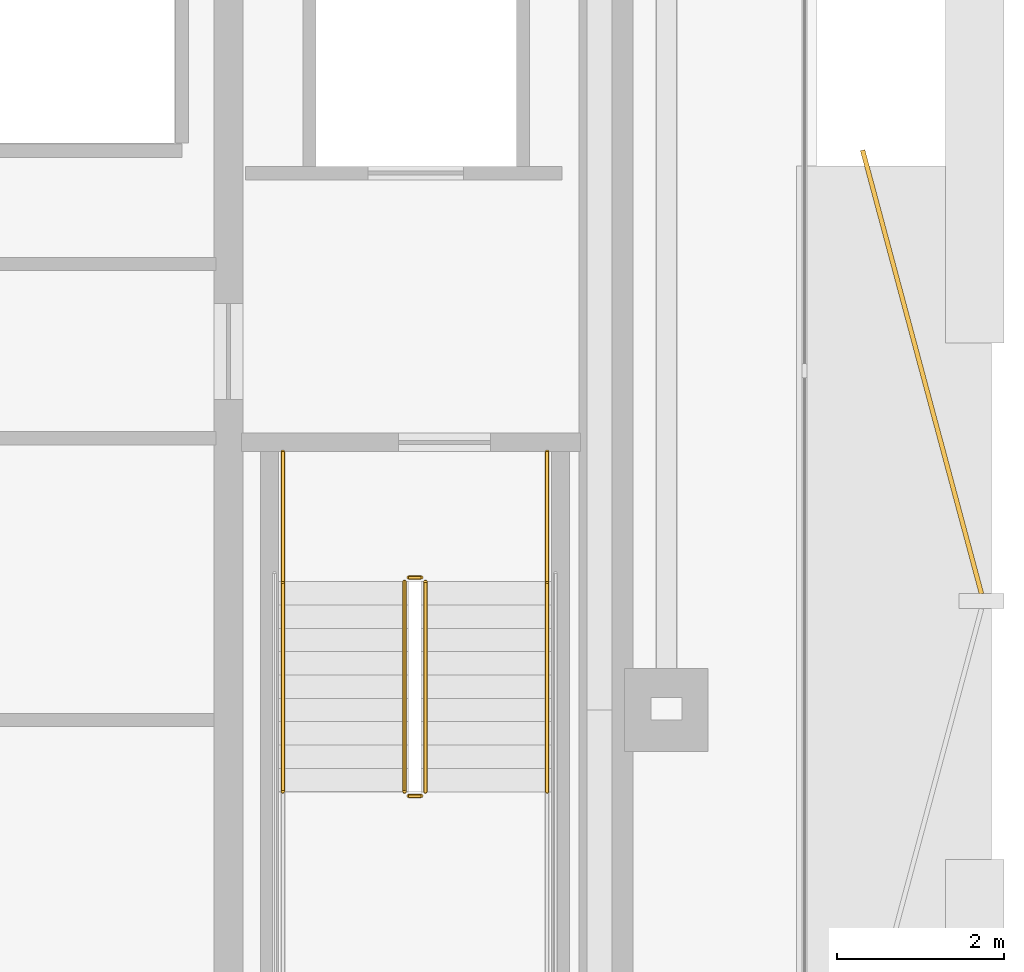
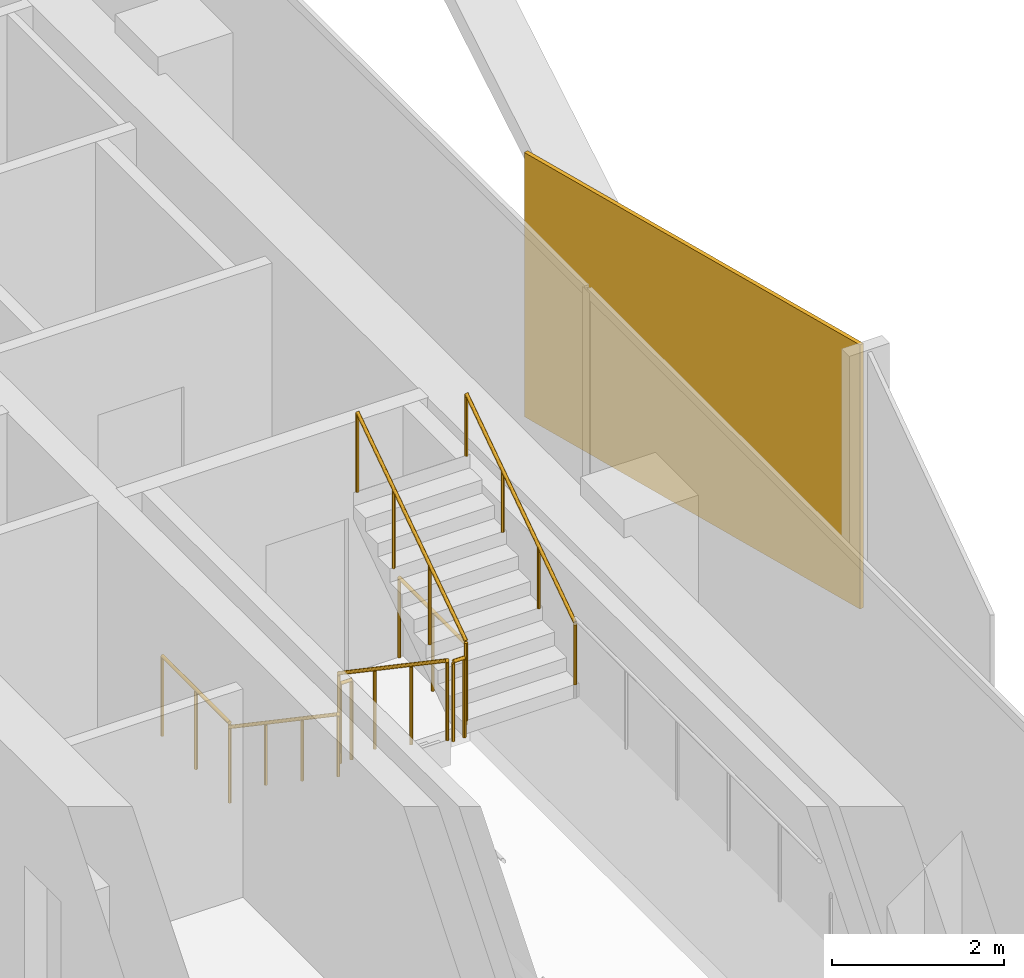
# One storey, part 15 of 17: 8 railings, 1 covering.
"""IFC4 building model written with IfcOpenShell, lengths in metres."""

from ifc_helpers import new_model, si_unit, direction, frame, origin, origin_2d, place, context, subcontext, project, spatial, rectangle, circle, extrude, material, layer, layer_set, type_object, element, save


model = new_model("IFC4")

# Units and contexts
model_context = context("Model", 3, precision=1e-05, world=origin(), true_north=direction((0.0, 1.0)))
body_context = subcontext(model_context, "Body", "Model", "MODEL_VIEW")
ifc_project = project(units=[si_unit("LENGTHUNIT", "METRE"), si_unit("AREAUNIT", "SQUARE_METRE"), si_unit("VOLUMEUNIT", "CUBIC_METRE"), si_unit("PLANEANGLEUNIT", "RADIAN"), si_unit("MASSUNIT", "GRAM", prefix="KILO")], contexts=[model_context])

# Site, building, storey
site_placement = place(None, origin())
site = spatial("IfcSite", under=ifc_project, at=site_placement, CompositionType="ELEMENT")
building_placement = place(site_placement, origin())
building = spatial("IfcBuilding", under=site, at=building_placement, Name="Khairoan Windgate Tower", CompositionType="ELEMENT")
storey_placement = place(building_placement, frame((0.0, 0.0, 191.60009765625)))
storey = spatial("IfcBuildingStorey", under=building, at=storey_placement, Name="L44", CompositionType="ELEMENT", Elevation=191.60009765625)

# Covering
ifc_material_1 = material(Name="Anodised Bronze Aluminium 6063-T6", Category="aluminium")
ifc_layer = layer(ifc_material_1, 0.054931640625, Name="Anodised Bronze Aluminium 6063-T6")
ifc_layer_set = layer_set([ifc_layer], Name="Anodised Bronze Aluminium 6063-T6")
covering_type = type_object("IfcCoveringType", Name="Perforated Bronze-Ceramic Folded Solar Screen Cladding BSC-1", PredefinedType="CLADDING", material=ifc_layer_set)
covering_placement = place(storey_placement, frame((23.8671875, -6.74560546875, -0.10009765625), z_axis=(0.0, 0.0, 1.0), x_axis=(0.258819045103, -0.965925826289, 0.0)))
element("IfcCovering", 1, at=covering_placement, inside=storey, type_object=covering_type, Name="L44 Folded Bronze Solar Screen Facet 296L", PredefinedType="CLADDING", context=body_context, shape_type="SweptSolid", body=[
    extrude(rectangle(XDim=5.507080078125, YDim=0.054931640625, at=origin_2d()), origin(), (0.0, 0.0, 1.0), 3.739990234375),
])

# Railings
ifc_material_2 = material(Name="Anodised Bronze Aluminium 6063-T6", Category="aluminium")
railing_type_1 = type_object("IfcRailingType", Name="Stair Wall Handrail SHR-900", PredefinedType="HANDRAIL", material=ifc_material_2)
railing_1_placement = place(storey_placement, frame((16.199951171875, -9.260009765625, 0.18994140625)))
element("IfcRailing", 2, at=railing_1_placement, inside=storey, type_object=railing_type_1, Name="L44 ST1 stair handrail 1", PredefinedType="HANDRAIL", context=body_context, shape_type="SweptSolid", body=[
    extrude(circle(Radius=0.02392578125, at=origin_2d()), frame((0.0, 0.0, 0.8759765625), z_axis=(0.0, -0.827483756001, 0.561489655786), x_axis=(1.0, 0.0, 0.0)), (0.0, 0.0, 1.0), 3.04541015625),
    extrude(circle(Radius=0.02099609375, at=origin_2d()), origin(), (0.0, 0.0, 1.0), 0.851806640625),
    extrude(circle(Radius=0.02099609375, at=origin_2d()), frame((0.0, -0.840087890625, 0.570068359375)), (0.0, 0.0, 1.0), 0.851806640625),
    extrude(circle(Radius=0.02099609375, at=origin_2d()), frame((0.0, -1.679931640625, 1.139892578125)), (0.0, 0.0, 1.0), 0.851806640625),
    extrude(circle(Radius=0.02099609375, at=origin_2d()), frame((0.0, -2.52001953125, 1.7099609375)), (0.0, 0.0, 1.0), 0.851806640625),
])
railing_2_placement = place(storey_placement, frame((19.3701171875, -11.780029296875, 2.08984375)))
element("IfcRailing", 3, at=railing_2_placement, inside=storey, type_object=railing_type_1, Name="L44 ST1 stair handrail 2", PredefinedType="HANDRAIL", context=body_context, shape_type="SweptSolid", body=[
    extrude(circle(Radius=0.02392578125, at=origin_2d()), frame((0.0, 0.0, 0.8759765625), z_axis=(0.0, 0.827483756001, 0.561489655786), x_axis=(-1.0, 0.0, 0.0)), (0.0, 0.0, 1.0), 3.04541015625),
    extrude(circle(Radius=0.02099609375, at=origin_2d()), origin(), (0.0, 0.0, 1.0), 0.851806640625),
    extrude(circle(Radius=0.02099609375, at=origin_2d()), frame((0.0, 0.840087890625, 0.570068359375)), (0.0, 0.0, 1.0), 0.851806640625),
    extrude(circle(Radius=0.02099609375, at=origin_2d()), frame((0.0, 1.679931640625, 1.139892578125)), (0.0, 0.0, 1.0), 0.851806640625),
    extrude(circle(Radius=0.02099609375, at=origin_2d()), frame((0.0, 2.52001953125, 1.7099609375)), (0.0, 0.0, 1.0), 0.851806640625),
])
ifc_material_3 = material(Name="Steel S355", Category="steel")
railing_type_2 = type_object("IfcRailingType", Name="Stairwell Safety Guardrail SGR-1150", PredefinedType="GUARDRAIL", material=ifc_material_3)
railing_3_placement = place(storey_placement, frame((17.659912109375, -9.260009765625, 0.18994140625)))
element("IfcRailing", 4, at=railing_3_placement, inside=storey, type_object=railing_type_2, Name="L44 ST1 stair guard 1", PredefinedType="GUARDRAIL", context=body_context, shape_type="SweptSolid", body=[
    extrude(circle(Radius=0.02392578125, at=origin_2d()), frame((0.0, 0.0, 1.1259765625), z_axis=(0.0, -0.827483756001, 0.561489655786), x_axis=(1.0, 0.0, 0.0)), (0.0, 0.0, 1.0), 3.04541015625),
    extrude(circle(Radius=0.02099609375, at=origin_2d()), origin(), (0.0, 0.0, 1.0), 1.101806640625),
    extrude(circle(Radius=0.02099609375, at=origin_2d()), frame((0.0, -0.840087890625, 0.570068359375)), (0.0, 0.0, 1.0), 1.101806640625),
    extrude(circle(Radius=0.02099609375, at=origin_2d()), frame((0.0, -1.679931640625, 1.139892578125)), (0.0, 0.0, 1.0), 1.101806640625),
    extrude(circle(Radius=0.02099609375, at=origin_2d()), frame((0.0, -2.52001953125, 1.7099609375)), (0.0, 0.0, 1.0), 1.101806640625),
])
railing_4_placement = place(storey_placement, frame((17.7099609375, -11.830078125, 1.89990234375)))
element("IfcRailing", 5, at=railing_4_placement, inside=storey, type_object=railing_type_2, Name="L44 ST1 stair guard 2", PredefinedType="GUARDRAIL", context=body_context, shape_type="SweptSolid", body=[
    extrude(circle(Radius=0.02392578125, at=origin_2d()), frame((0.0, 0.0, 1.1259765625), z_axis=(1.0, 0.0, 0.0), x_axis=(0.0, 1.0, 0.0)), (0.0, 0.0, 1.0), 0.150146484375),
    extrude(circle(Radius=0.02099609375, at=origin_2d()), origin(), (0.0, 0.0, 1.0), 1.101806640625),
    extrude(circle(Radius=0.02099609375, at=origin_2d()), frame((0.150146484375, 0.0, 0.0)), (0.0, 0.0, 1.0), 1.101806640625),
])
railing_5_placement = place(storey_placement, frame((17.909912109375, -11.780029296875, 2.08984375)))
element("IfcRailing", 6, at=railing_5_placement, inside=storey, type_object=railing_type_2, Name="L44 ST1 stair guard 6", PredefinedType="GUARDRAIL", context=body_context, shape_type="SweptSolid", body=[
    extrude(circle(Radius=0.02392578125, at=origin_2d()), frame((0.0, 0.0, 1.1259765625), z_axis=(0.0, 0.827483756001, 0.561489655786), x_axis=(-1.0, 0.0, 0.0)), (0.0, 0.0, 1.0), 3.04541015625),
    extrude(circle(Radius=0.02099609375, at=origin_2d()), origin(), (0.0, 0.0, 1.0), 1.101806640625),
    extrude(circle(Radius=0.02099609375, at=origin_2d()), frame((0.0, 0.840087890625, 0.570068359375)), (0.0, 0.0, 1.0), 1.101806640625),
    extrude(circle(Radius=0.02099609375, at=origin_2d()), frame((0.0, 1.679931640625, 1.139892578125)), (0.0, 0.0, 1.0), 1.101806640625),
    extrude(circle(Radius=0.02099609375, at=origin_2d()), frame((0.0, 2.52001953125, 1.7099609375)), (0.0, 0.0, 1.0), 1.101806640625),
])
railing_6_placement = place(storey_placement, frame((17.7099609375, -9.2099609375, 0.0)))
element("IfcRailing", 7, at=railing_6_placement, inside=storey, type_object=railing_type_2, Name="L44 ST1 stair guard 7", PredefinedType="GUARDRAIL", context=body_context, shape_type="SweptSolid", body=[
    extrude(circle(Radius=0.02392578125, at=origin_2d()), frame((0.0, 0.0, 1.1259765625), z_axis=(1.0, 0.0, 0.0), x_axis=(0.0, 1.0, 0.0)), (0.0, 0.0, 1.0), 0.150146484375),
    extrude(circle(Radius=0.02099609375, at=origin_2d()), origin(), (0.0, 0.0, 1.0), 1.101806640625),
    extrude(circle(Radius=0.02099609375, at=origin_2d()), frame((0.150146484375, 0.0, 0.0)), (0.0, 0.0, 1.0), 1.101806640625),
])
for number, where, name in (
    (8, (16.199951171875, -7.699951171875, 0.0), "L44 ST1 stair guard 8"),
    (9, (19.3701171875, -7.699951171875, 0.0), "L44 ST1 stair guard 9"),
):
    element("IfcRailing", number, at=place(storey_placement, frame(where)), inside=storey, type_object=railing_type_2, Name=name, PredefinedType="GUARDRAIL", context=body_context, shape_type="SweptSolid", body=[
        extrude(circle(Radius=0.02392578125, at=origin_2d()), frame((0.0, 0.0, 1.1259765625), z_axis=(0.0, -1.0, 0.0), x_axis=(1.0, 0.0, 0.0)), (0.0, 0.0, 1.0), 1.56005859375),
        extrude(circle(Radius=0.02099609375, at=origin_2d()), origin(), (0.0, 0.0, 1.0), 1.101806640625),
        extrude(circle(Radius=0.02099609375, at=origin_2d()), frame((0.0, -0.780029296875, 0.0)), (0.0, 0.0, 1.0), 1.101806640625),
        extrude(circle(Radius=0.02099609375, at=origin_2d()), frame((0.0, -1.56005859375, 0.0)), (0.0, 0.0, 1.0), 1.101806640625),
    ])

save(model, "model.ifc")
